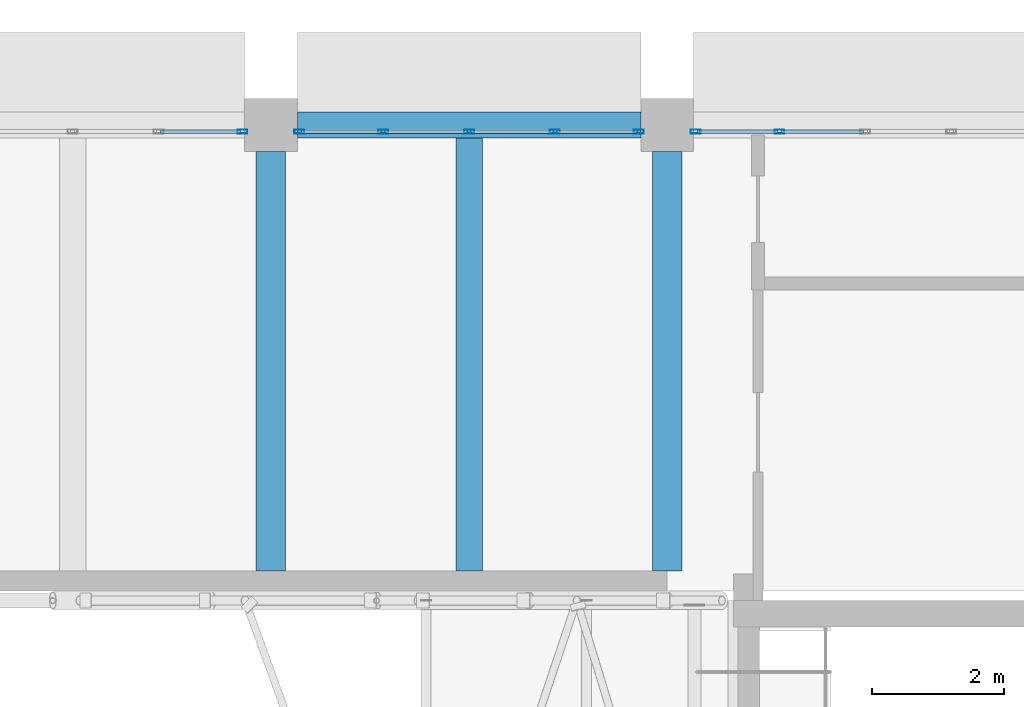
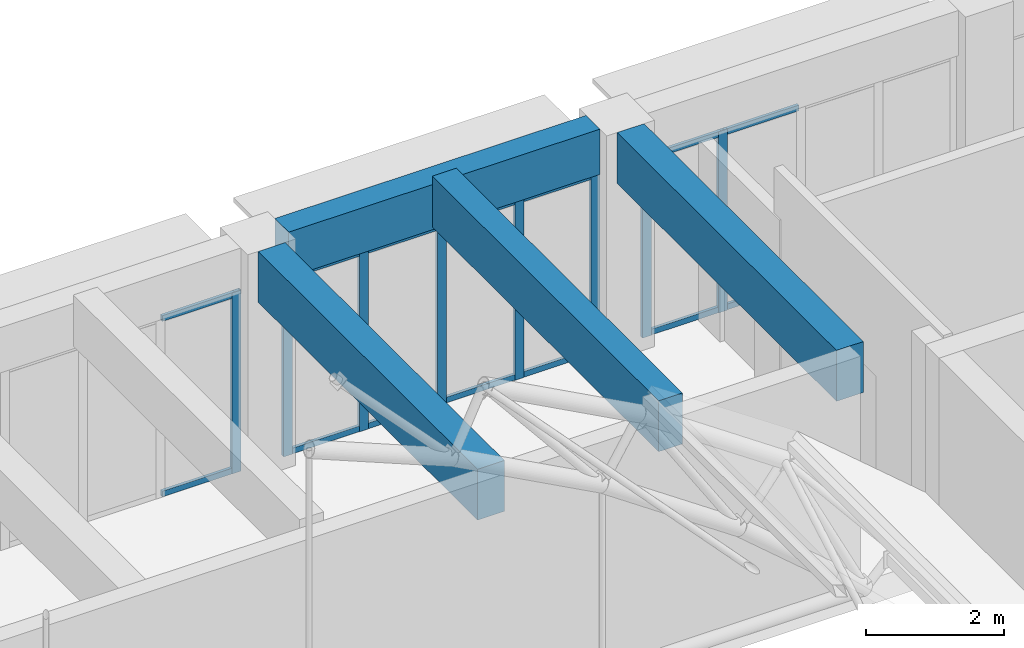
# One storey, part 30 of 101: 22 members, 4 beams, 3 elements without a shape of their own.
"""IFC4 building model written with IfcOpenShell, lengths in metres."""

from ifc_helpers import new_model, si_unit, direction, frame, origin, origin_2d, place, context, subcontext, project, spatial, rectangle, hollow_rectangle, extrude, material, material_profile, profile_set, type_object, element, aggregate, save


model = new_model("IFC4")

# Units and contexts
model_context = context("Model", 3, precision=1e-05, world=origin(), true_north=direction((0.0, 1.0)))
body_context = subcontext(model_context, "Body", "Model", "MODEL_VIEW")
ifc_project = project(units=[si_unit("LENGTHUNIT", "METRE"), si_unit("AREAUNIT", "SQUARE_METRE"), si_unit("VOLUMEUNIT", "CUBIC_METRE"), si_unit("PLANEANGLEUNIT", "RADIAN"), si_unit("MASSUNIT", "GRAM", prefix="KILO")], contexts=[model_context])

# Site, building, storey
site_placement = place(None, origin())
site = spatial("IfcSite", under=ifc_project, at=site_placement, CompositionType="ELEMENT")
building_placement = place(site_placement, origin())
building = spatial("IfcBuilding", under=site, at=building_placement, Name="Laocheng Heights Fire and Rescue Headquarters", CompositionType="ELEMENT")
storey_placement = place(building_placement, frame((0.0, 0.0, 8.39990234375)))
storey = spatial("IfcBuildingStorey", under=building, at=storey_placement, Name="L02", CompositionType="ELEMENT", Elevation=8.39990234375)

# Curtain wall, member
ifc_material_1 = material(Name="Aluminium unitised curtain wall, low-e double glazing", Category="aluminium")
curtain_wall_type = type_object("IfcCurtainWallType", Name="CW 5200 x 3200 GALLERY UNIT", PredefinedType="NOTDEFINED", material=ifc_material_1)
curtain_wall_1_placement = place(storey_placement, origin())
curtain_wall_1 = element("IfcCurtainWall", 1, at=curtain_wall_1_placement, inside=storey, type_object=curtain_wall_type, Name="Gallery north glazing L02", PredefinedType="NOTDEFINED")
ifc_material_2 = material(Name="Aluminium 6063-T5 extrusion", Category="aluminium")
ifc_material_profile_1 = material_profile(ifc_material_2, hollow_rectangle(XDim=0.06005859375, YDim=0.14990234375, WallThickness=0.0029296875, at=origin_2d()), Name="AL MULLION 150x60x3")
ifc_profile_set_1 = profile_set([ifc_material_profile_1], Name="Aluminium 6063-T5 extrusion")
member_type_1 = type_object("IfcMemberType", Name="AL CURTAIN WALL MULLION 150x60x3", PredefinedType="MULLION", material=ifc_profile_set_1)
member_1_placement = place(storey_placement, frame((47.570068359375, 28.699951171875, 0.0), z_axis=(0.0, 0.0, 1.0), x_axis=(0.0, 1.0, 0.0)))
member_1 = element("IfcMember", 2, at=member_1_placement, type_object=member_type_1, Name="X4-E mullion 5", PredefinedType="MULLION", context=body_context, shape_type="SweptSolid", body=[
    extrude(hollow_rectangle(XDim=0.06005859375, YDim=0.14990234375, WallThickness=0.0029296875, at=origin_2d()), origin(), (0.0, 0.0, 1.0), 3.2001953125),
])

# Curtain wall, members
curtain_wall_2_placement = place(storey_placement, origin())
curtain_wall_2 = element("IfcCurtainWall", 3, at=curtain_wall_2_placement, inside=storey, type_object=curtain_wall_type, Name="Gallery north glazing L02", PredefinedType="NOTDEFINED")
member_2_placement = place(storey_placement, frame((48.429931640625, 28.699951171875, 0.0), z_axis=(0.0, 0.0, 1.0), x_axis=(0.0, 1.0, 0.0)))
member_2 = element("IfcMember", 4, at=member_2_placement, type_object=member_type_1, Name="X4-E mullion 1", PredefinedType="MULLION", context=body_context, shape_type="SweptSolid", body=[
    extrude(hollow_rectangle(XDim=0.06005859375, YDim=0.14990234375, WallThickness=0.0029296875, at=origin_2d()), origin(), (0.0, 0.0, 1.0), 3.2001953125),
])
member_3_placement = place(storey_placement, frame((49.699951171875, 28.699951171875, 0.0), z_axis=(0.0, 0.0, 1.0), x_axis=(0.0, 1.0, 0.0)))
member_3 = element("IfcMember", 5, at=member_3_placement, type_object=member_type_1, Name="X4-E mullion 2", PredefinedType="MULLION", context=body_context, shape_type="SweptSolid", body=[
    extrude(hollow_rectangle(XDim=0.06005859375, YDim=0.14990234375, WallThickness=0.0029296875, at=origin_2d()), origin(), (0.0, 0.0, 1.0), 3.2001953125),
])
member_4_placement = place(storey_placement, frame((51.0, 28.699951171875, 0.0), z_axis=(0.0, 0.0, 1.0), x_axis=(0.0, 1.0, 0.0)))
member_4 = element("IfcMember", 6, at=member_4_placement, type_object=member_type_1, Name="X4-E mullion 3", PredefinedType="MULLION", context=body_context, shape_type="SweptSolid", body=[
    extrude(hollow_rectangle(XDim=0.06005859375, YDim=0.14990234375, WallThickness=0.0029296875, at=origin_2d()), origin(), (0.0, 0.0, 1.0), 3.2001953125),
])
member_5_placement = place(storey_placement, frame((52.300048828125, 28.699951171875, 0.0), z_axis=(0.0, 0.0, 1.0), x_axis=(0.0, 1.0, 0.0)))
member_5 = element("IfcMember", 7, at=member_5_placement, type_object=member_type_1, Name="X4-E mullion 4", PredefinedType="MULLION", context=body_context, shape_type="SweptSolid", body=[
    extrude(hollow_rectangle(XDim=0.06005859375, YDim=0.14990234375, WallThickness=0.0029296875, at=origin_2d()), origin(), (0.0, 0.0, 1.0), 3.2001953125),
])
member_6_placement = place(storey_placement, frame((53.570068359375, 28.699951171875, 0.0), z_axis=(0.0, 0.0, 1.0), x_axis=(0.0, 1.0, 0.0)))
member_6 = element("IfcMember", 8, at=member_6_placement, type_object=member_type_1, Name="X4-E mullion 5", PredefinedType="MULLION", context=body_context, shape_type="SweptSolid", body=[
    extrude(hollow_rectangle(XDim=0.06005859375, YDim=0.14990234375, WallThickness=0.0029296875, at=origin_2d()), origin(), (0.0, 0.0, 1.0), 3.2001953125),
])

curtain_wall_3_placement = place(storey_placement, origin())
curtain_wall_3 = element("IfcCurtainWall", 9, at=curtain_wall_3_placement, inside=storey, type_object=curtain_wall_type, Name="Gallery north glazing L02", PredefinedType="NOTDEFINED")
member_7_placement = place(storey_placement, frame((54.429931640625, 28.699951171875, 0.0), z_axis=(0.0, 0.0, 1.0), x_axis=(0.0, 1.0, 0.0)))
member_7 = element("IfcMember", 10, at=member_7_placement, type_object=member_type_1, Name="X4-E mullion 1", PredefinedType="MULLION", context=body_context, shape_type="SweptSolid", body=[
    extrude(hollow_rectangle(XDim=0.06005859375, YDim=0.14990234375, WallThickness=0.0029296875, at=origin_2d()), origin(), (0.0, 0.0, 1.0), 3.2001953125),
])
member_8_placement = place(storey_placement, frame((55.699951171875, 28.699951171875, 0.0), z_axis=(0.0, 0.0, 1.0), x_axis=(0.0, 1.0, 0.0)))
member_8 = element("IfcMember", 11, at=member_8_placement, type_object=member_type_1, Name="X4-E mullion 2", PredefinedType="MULLION", context=body_context, shape_type="SweptSolid", body=[
    extrude(hollow_rectangle(XDim=0.06005859375, YDim=0.14990234375, WallThickness=0.0029296875, at=origin_2d()), origin(), (0.0, 0.0, 1.0), 3.2001953125),
])

# Member
ifc_material_3 = material(Name="Aluminium 6063-T5 extrusion", Category="aluminium")
ifc_material_profile_2 = material_profile(ifc_material_3, hollow_rectangle(XDim=0.050048828125, YDim=0.10009765625, WallThickness=0.0029296875, at=origin_2d()), Name="AL TRANSOM 100x50x3")
ifc_profile_set_2 = profile_set([ifc_material_profile_2], Name="Aluminium 6063-T5 extrusion")
member_type_2 = type_object("IfcMemberType", Name="AL CURTAIN WALL TRANSOM 100x50x3", PredefinedType="USERDEFINED", material=ifc_profile_set_2)
member_9_placement = place(storey_placement, frame((46.330078125, 28.699951171875, 0.050048828125), z_axis=(1.0, 0.0, 0.0), x_axis=(0.0, 1.0, 0.0)))
member_9 = element("IfcMember", 12, at=member_9_placement, type_object=member_type_2, Name="X4-E transom 4.1", ObjectType="TRANSOM", PredefinedType="USERDEFINED", context=body_context, shape_type="SweptSolid", body=[
    extrude(hollow_rectangle(XDim=0.050048828125, YDim=0.10009765625, WallThickness=0.0029296875, at=origin_2d()), origin(), (0.0, 0.0, 1.0), 1.2099609375),
])

member_10_placement = place(storey_placement, frame((46.330078125, 28.699951171875, 3.150146484375), z_axis=(1.0, 0.0, 0.0), x_axis=(0.0, 1.0, 0.0)))
member_10 = element("IfcMember", 13, at=member_10_placement, type_object=member_type_2, Name="X4-E transom 4.2", ObjectType="TRANSOM", PredefinedType="USERDEFINED", context=body_context, shape_type="SweptSolid", body=[
    extrude(hollow_rectangle(XDim=0.050048828125, YDim=0.10009765625, WallThickness=0.0029296875, at=origin_2d()), origin(), (0.0, 0.0, 1.0), 1.2099609375),
])

aggregate(curtain_wall_1, [member_1, member_9, member_10])

member_11_placement = place(storey_placement, frame((48.4599609375, 28.699951171875, 0.050048828125), z_axis=(1.0, 0.0, 0.0), x_axis=(0.0, 1.0, 0.0)))
member_11 = element("IfcMember", 14, at=member_11_placement, type_object=member_type_2, Name="X4-E transom 1.1", ObjectType="TRANSOM", PredefinedType="USERDEFINED", context=body_context, shape_type="SweptSolid", body=[
    extrude(hollow_rectangle(XDim=0.050048828125, YDim=0.10009765625, WallThickness=0.0029296875, at=origin_2d()), origin(), (0.0, 0.0, 1.0), 1.2099609375),
])

member_12_placement = place(storey_placement, frame((48.4599609375, 28.699951171875, 3.150146484375), z_axis=(1.0, 0.0, 0.0), x_axis=(0.0, 1.0, 0.0)))
member_12 = element("IfcMember", 15, at=member_12_placement, type_object=member_type_2, Name="X4-E transom 1.2", ObjectType="TRANSOM", PredefinedType="USERDEFINED", context=body_context, shape_type="SweptSolid", body=[
    extrude(hollow_rectangle(XDim=0.050048828125, YDim=0.10009765625, WallThickness=0.0029296875, at=origin_2d()), origin(), (0.0, 0.0, 1.0), 1.2099609375),
])

member_13_placement = place(storey_placement, frame((49.72998046875, 28.699951171875, 0.050048828125), z_axis=(1.0, 0.0, 0.0), x_axis=(0.0, 1.0, 0.0)))
member_13 = element("IfcMember", 16, at=member_13_placement, type_object=member_type_2, Name="X4-E transom 2.1", ObjectType="TRANSOM", PredefinedType="USERDEFINED", context=body_context, shape_type="SweptSolid", body=[
    extrude(hollow_rectangle(XDim=0.050048828125, YDim=0.10009765625, WallThickness=0.0029296875, at=origin_2d()), origin(), (0.0, 0.0, 1.0), 1.239990234375),
])

member_14_placement = place(storey_placement, frame((49.72998046875, 28.699951171875, 3.150146484375), z_axis=(1.0, 0.0, 0.0), x_axis=(0.0, 1.0, 0.0)))
member_14 = element("IfcMember", 17, at=member_14_placement, type_object=member_type_2, Name="X4-E transom 2.2", ObjectType="TRANSOM", PredefinedType="USERDEFINED", context=body_context, shape_type="SweptSolid", body=[
    extrude(hollow_rectangle(XDim=0.050048828125, YDim=0.10009765625, WallThickness=0.0029296875, at=origin_2d()), origin(), (0.0, 0.0, 1.0), 1.239990234375),
])

member_15_placement = place(storey_placement, frame((51.030029296875, 28.699951171875, 0.050048828125), z_axis=(1.0, 0.0, 0.0), x_axis=(0.0, 1.0, 0.0)))
member_15 = element("IfcMember", 18, at=member_15_placement, type_object=member_type_2, Name="X4-E transom 3.1", ObjectType="TRANSOM", PredefinedType="USERDEFINED", context=body_context, shape_type="SweptSolid", body=[
    extrude(hollow_rectangle(XDim=0.050048828125, YDim=0.10009765625, WallThickness=0.0029296875, at=origin_2d()), origin(), (0.0, 0.0, 1.0), 1.239990234375),
])

member_16_placement = place(storey_placement, frame((51.030029296875, 28.699951171875, 3.150146484375), z_axis=(1.0, 0.0, 0.0), x_axis=(0.0, 1.0, 0.0)))
member_16 = element("IfcMember", 19, at=member_16_placement, type_object=member_type_2, Name="X4-E transom 3.2", ObjectType="TRANSOM", PredefinedType="USERDEFINED", context=body_context, shape_type="SweptSolid", body=[
    extrude(hollow_rectangle(XDim=0.050048828125, YDim=0.10009765625, WallThickness=0.0029296875, at=origin_2d()), origin(), (0.0, 0.0, 1.0), 1.239990234375),
])

member_17_placement = place(storey_placement, frame((52.330078125, 28.699951171875, 0.050048828125), z_axis=(1.0, 0.0, 0.0), x_axis=(0.0, 1.0, 0.0)))
member_17 = element("IfcMember", 20, at=member_17_placement, type_object=member_type_2, Name="X4-E transom 4.1", ObjectType="TRANSOM", PredefinedType="USERDEFINED", context=body_context, shape_type="SweptSolid", body=[
    extrude(hollow_rectangle(XDim=0.050048828125, YDim=0.10009765625, WallThickness=0.0029296875, at=origin_2d()), origin(), (0.0, 0.0, 1.0), 1.2099609375),
])

member_18_placement = place(storey_placement, frame((52.330078125, 28.699951171875, 3.150146484375), z_axis=(1.0, 0.0, 0.0), x_axis=(0.0, 1.0, 0.0)))
member_18 = element("IfcMember", 21, at=member_18_placement, type_object=member_type_2, Name="X4-E transom 4.2", ObjectType="TRANSOM", PredefinedType="USERDEFINED", context=body_context, shape_type="SweptSolid", body=[
    extrude(hollow_rectangle(XDim=0.050048828125, YDim=0.10009765625, WallThickness=0.0029296875, at=origin_2d()), origin(), (0.0, 0.0, 1.0), 1.2099609375),
])

aggregate(curtain_wall_2, [member_2, member_3, member_4, member_5, member_6, member_11, member_12, member_13, member_14, member_15, member_16, member_17, member_18])

member_19_placement = place(storey_placement, frame((54.4599609375, 28.699951171875, 0.050048828125), z_axis=(1.0, 0.0, 0.0), x_axis=(0.0, 1.0, 0.0)))
member_19 = element("IfcMember", 22, at=member_19_placement, type_object=member_type_2, Name="X4-E transom 1.1", ObjectType="TRANSOM", PredefinedType="USERDEFINED", context=body_context, shape_type="SweptSolid", body=[
    extrude(hollow_rectangle(XDim=0.050048828125, YDim=0.10009765625, WallThickness=0.0029296875, at=origin_2d()), origin(), (0.0, 0.0, 1.0), 1.2099609375),
])

member_20_placement = place(storey_placement, frame((54.4599609375, 28.699951171875, 3.150146484375), z_axis=(1.0, 0.0, 0.0), x_axis=(0.0, 1.0, 0.0)))
member_20 = element("IfcMember", 23, at=member_20_placement, type_object=member_type_2, Name="X4-E transom 1.2", ObjectType="TRANSOM", PredefinedType="USERDEFINED", context=body_context, shape_type="SweptSolid", body=[
    extrude(hollow_rectangle(XDim=0.050048828125, YDim=0.10009765625, WallThickness=0.0029296875, at=origin_2d()), origin(), (0.0, 0.0, 1.0), 1.2099609375),
])

member_21_placement = place(storey_placement, frame((55.72998046875, 28.699951171875, 0.050048828125), z_axis=(1.0, 0.0, 0.0), x_axis=(0.0, 1.0, 0.0)))
member_21 = element("IfcMember", 24, at=member_21_placement, type_object=member_type_2, Name="X4-E transom 2.1", ObjectType="TRANSOM", PredefinedType="USERDEFINED", context=body_context, shape_type="SweptSolid", body=[
    extrude(hollow_rectangle(XDim=0.050048828125, YDim=0.10009765625, WallThickness=0.0029296875, at=origin_2d()), origin(), (0.0, 0.0, 1.0), 1.239990234375),
])

member_22_placement = place(storey_placement, frame((55.72998046875, 28.699951171875, 3.150146484375), z_axis=(1.0, 0.0, 0.0), x_axis=(0.0, 1.0, 0.0)))
member_22 = element("IfcMember", 25, at=member_22_placement, type_object=member_type_2, Name="X4-E transom 2.2", ObjectType="TRANSOM", PredefinedType="USERDEFINED", context=body_context, shape_type="SweptSolid", body=[
    extrude(hollow_rectangle(XDim=0.050048828125, YDim=0.10009765625, WallThickness=0.0029296875, at=origin_2d()), origin(), (0.0, 0.0, 1.0), 1.239990234375),
])

aggregate(curtain_wall_3, [member_7, member_8, member_19, member_20, member_21, member_22])

# Beams
ifc_material_4 = material(Name="Concrete C40", Category="concrete")
ifc_material_profile_3 = material_profile(ifc_material_4, rectangle(XDim=0.39990234375, YDim=0.800048828125, at=origin_2d()), Name="RC BEAM 400x800 GALLERY FLOOR")
ifc_profile_set_3 = profile_set([ifc_material_profile_3], Name="Concrete C40")
beam_type_1 = type_object("IfcBeamType", Name="RC BEAM 400x800 GALLERY FLOOR", PredefinedType="BEAM", material=ifc_profile_set_3)
beam_1_placement = place(storey_placement, frame((48.39990234375, 28.800048828125, 3.60009765625), z_axis=(1.0, 0.0, 0.0), x_axis=(0.0, 1.0, 0.0)))
element("IfcBeam", 26, at=beam_1_placement, inside=storey, type_object=beam_type_1, Name="Gallery floor beam", PredefinedType="BEAM", context=body_context, shape_type="SweptSolid", body=[
    extrude(rectangle(XDim=0.39990234375, YDim=0.800048828125, at=origin_2d()), origin(), (0.0, 0.0, 1.0), 5.2001953125),
])
ifc_material_5 = material(Name="Concrete C50", Category="concrete")
ifc_material_profile_4 = material_profile(ifc_material_5, rectangle(XDim=0.39990234375, YDim=0.89990234375, at=origin_2d()), Name="RC BEAM 400x900 TRANSFER SECONDARY")
ifc_profile_set_4 = profile_set([ifc_material_profile_4], Name="Concrete C50")
beam_type_2 = type_object("IfcBeamType", Name="RC BEAM 400x900 TRANSFER SECONDARY", PredefinedType="BEAM", material=ifc_profile_set_4)
beam_2_placement = place(storey_placement, frame((51.0, 22.050048828125, 3.7001953125), z_axis=(0.0, 1.0, 0.0), x_axis=(-1.0, 0.0, 0.0)))
element("IfcBeam", 27, at=beam_2_placement, inside=storey, type_object=beam_type_2, Name="Gallery secondary beam", PredefinedType="BEAM", context=body_context, shape_type="SweptSolid", body=[
    extrude(rectangle(XDim=0.39990234375, YDim=0.89990234375, at=origin_2d()), origin(), (0.0, 0.0, 1.0), 6.550048828125),
])
ifc_material_6 = material(Name="Concrete C40", Category="concrete")
ifc_material_profile_5 = material_profile(ifc_material_6, rectangle(XDim=0.449951171875, YDim=0.89990234375, at=origin_2d()), Name="RC BEAM 450x900 GALLERY FLOOR")
ifc_profile_set_5 = profile_set([ifc_material_profile_5], Name="Concrete C40")
beam_type_3 = type_object("IfcBeamType", Name="RC BEAM 450x900 GALLERY FLOOR", PredefinedType="BEAM", material=ifc_profile_set_5)
for number, where, z_axis, x_axis, name in (
    (28, (48.0, 22.050048828125, 3.550048828125), (0.0, 1.0, 0.0), (-1.0, 0.0, 0.0), "Gallery beam on south wall"),
    (29, (54.0, 22.050048828125, 3.550048828125), (0.0, 1.0, 0.0), (-1.0, 0.0, 0.0), "Gallery beam on south wall"),
):
    element("IfcBeam", number, at=place(storey_placement, frame(where, z_axis=z_axis, x_axis=x_axis)), inside=storey, type_object=beam_type_3, Name=name, PredefinedType="BEAM", context=body_context, shape_type="SweptSolid", body=[
        extrude(rectangle(XDim=0.449951171875, YDim=0.89990234375, at=origin_2d()), origin(), (0.0, 0.0, 1.0), 6.349853515625),
    ])

save(model, "model.ifc")
